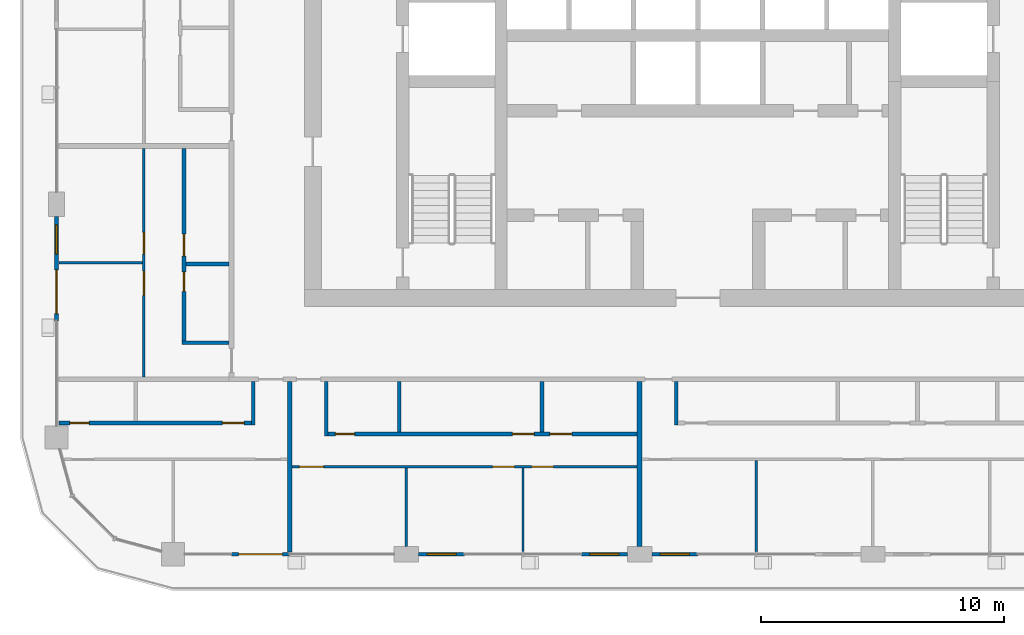
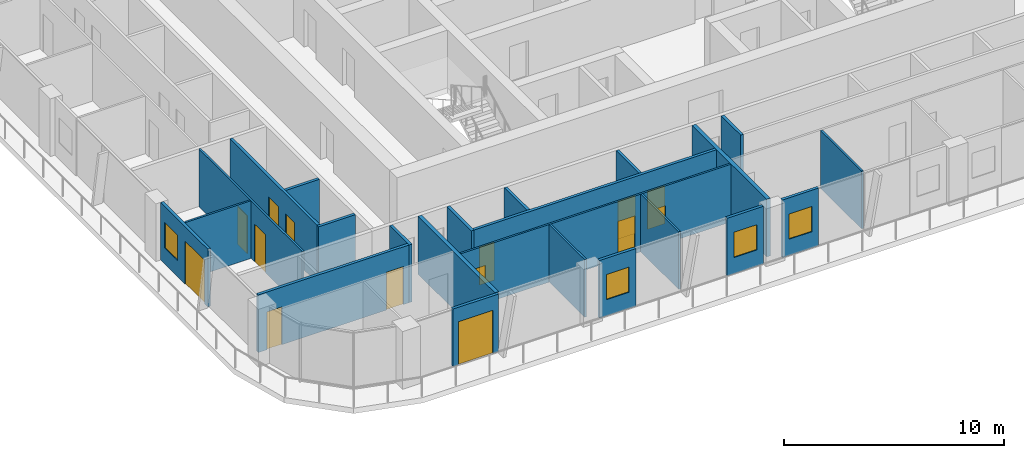
# One storey, part 9 of 23: 23 walls, 14 doors, 4 windows, 18 openings.
"""IFC4 building model written with IfcOpenShell, lengths in metres."""

from ifc_helpers import new_model, si_unit, direction, frame, frame_2d, origin, place, context, subcontext, project, spatial, rectangle, extrude, material, layer, layer_set, type_object, element, fill, save


model = new_model("IFC4")

# Units and contexts
model_context = context("Model", 3, precision=1e-05, world=origin(), true_north=direction((0.0, 1.0)))
body_context = subcontext(model_context, "Body", "Model", "MODEL_VIEW")
ifc_project = project(units=[si_unit("LENGTHUNIT", "METRE"), si_unit("AREAUNIT", "SQUARE_METRE"), si_unit("VOLUMEUNIT", "CUBIC_METRE"), si_unit("PLANEANGLEUNIT", "RADIAN"), si_unit("MASSUNIT", "GRAM", prefix="KILO")], contexts=[model_context])

# Site, building, storey
site_placement = place(None, origin())
site = spatial("IfcSite", under=ifc_project, at=site_placement, CompositionType="ELEMENT")
building_placement = place(site_placement, origin())
building = spatial("IfcBuilding", under=site, at=building_placement, Name="Madar Terraces", CompositionType="ELEMENT")
storey_placement = place(building_placement, frame((0.0, 0.0, 226.300048828125)))
storey = spatial("IfcBuildingStorey", under=building, at=storey_placement, Name="L59", CompositionType="ELEMENT", Elevation=226.300048828125)

# Wall, opening, door
ifc_material_1 = material(Name="Aluminium composite panel, black, over insulated backing", Category="aluminium")
ifc_layer_1 = layer(ifc_material_1, 0.14990234375)
ifc_layer_set_1 = layer_set([ifc_layer_1], Name="Facade bay panel 150")
wall_type_1 = type_object("IfcWallType", Name="Facade bay panel 150", PredefinedType="SOLIDWALL", material=ifc_layer_set_1)
wall_1_placement = place(storey_placement, frame((12.0, 4.800048828125, 0.0), z_axis=(0.0, 0.0, 1.0), x_axis=(1.0, 0.0, 0.0)))
wall_1 = element("IfcWall", 1, at=wall_1_placement, inside=storey, type_object=wall_type_1, Name="Facade bay panel", PredefinedType="SOLIDWALL", context=body_context, shape_type="SweptSolid", body=[
    extrude(rectangle(XDim=2.39990234375, YDim=0.14990234375, at=frame_2d((1.199951171875, 0.0))), origin(), (0.0, 0.0, 1.0), 3.199951171875),
])
opening_1_placement = place(wall_1_placement, frame((0.300048828125, 0.0, 0.0)))
opening_1 = element("IfcOpeningElement", 2, at=opening_1_placement, cuts=wall_1, Name="Opening ED1", PredefinedType="OPENING", context=body_context, shape_type="SweptSolid", body=[
    extrude(rectangle(XDim=1.800048828125, YDim=2.39990234375, at=frame_2d((0.89990234375, 1.199951171875))), frame((0.0, 0.0849609375, 0.0), z_axis=(0.0, -1.0, 0.0), x_axis=(1.0, 0.0, 0.0)), (0.0, 0.0, 1.0), 0.169921875),
])
ifc_material_2 = material(Name="Glass, clear, with black aluminium frame", Category="aluminium")
door_type_1 = type_object("IfcDoorType", Name="Balcony and terrace sliding door 1800 x 2400", OperationType="SLIDING_TO_LEFT", PredefinedType="DOOR", material=ifc_material_2)
door_1_placement = place(opening_1_placement, origin())
door_1 = element("IfcDoor", 3, at=door_1_placement, inside=storey, type_object=door_type_1, Name="Balcony door", OperationType="SLIDING_TO_LEFT", OverallHeight=2.39990234375, OverallWidth=1.800048828125, PredefinedType="DOOR", context=body_context, shape_type="SweptSolid", body=[
    extrude(rectangle(XDim=1.800048828125, YDim=2.39990234375, at=frame_2d((0.89990234375, 1.199951171875))), frame((0.0, 0.02490234375, 0.0), z_axis=(0.0, -1.0, 0.0), x_axis=(1.0, 0.0, 0.0)), (0.0, 0.0, 1.0), 0.050048828125),
])
fill(opening_1, door_1)

# Wall, opening, window
wall_2_placement = place(storey_placement, frame((19.699951171875, 4.800048828125, 0.0), z_axis=(0.0, 0.0, 1.0), x_axis=(1.0, 0.0, 0.0)))
wall_2 = element("IfcWall", 4, at=wall_2_placement, inside=storey, type_object=wall_type_1, Name="Facade bay panel", PredefinedType="SOLIDWALL", context=body_context, shape_type="SweptSolid", body=[
    extrude(rectangle(XDim=1.900146484375, YDim=0.14990234375, at=frame_2d((0.9501953125, 0.0))), origin(), (0.0, 0.0, 1.0), 3.199951171875),
])
opening_2_placement = place(wall_2_placement, frame((0.35009765625, 0.0, 0.89990234375)))
opening_2 = element("IfcOpeningElement", 5, at=opening_2_placement, cuts=wall_2, Name="Opening W1", PredefinedType="OPENING", context=body_context, shape_type="SweptSolid", body=[
    extrude(rectangle(XDim=1.199951171875, YDim=1.39990234375, at=frame_2d((0.60009765625, 0.699951171875))), frame((0.0, 0.0849609375, 0.0), z_axis=(0.0, -1.0, 0.0), x_axis=(1.0, 0.0, 0.0)), (0.0, 0.0, 1.0), 0.169921875),
])
ifc_material_3 = material(Name="Glass, clear, with black aluminium frame", Category="aluminium")
window_type = type_object("IfcWindowType", Name="Vent window 1200 x 1400", PartitioningType="SINGLE_PANEL", PredefinedType="WINDOW", material=ifc_material_3)
window_1_placement = place(opening_2_placement, origin())
window_1 = element("IfcWindow", 6, at=window_1_placement, inside=storey, type_object=window_type, Name="Operable vent window", OverallHeight=1.39990234375, OverallWidth=1.199951171875, PartitioningType="SINGLE_PANEL", PredefinedType="WINDOW", context=body_context, shape_type="SweptSolid", body=[
    extrude(rectangle(XDim=1.199951171875, YDim=1.39990234375, at=frame_2d((0.60009765625, 0.699951171875))), frame((0.0, 0.030029296875, 0.0), z_axis=(0.0, -1.0, 0.0), x_axis=(1.0, 0.0, 0.0)), (0.0, 0.0, 1.0), 0.06005859375),
])
fill(opening_2, window_1)

wall_3_placement = place(storey_placement, frame((26.39990234375, 4.800048828125, 0.0), z_axis=(0.0, 0.0, 1.0), x_axis=(1.0, 0.0, 0.0)))
wall_3 = element("IfcWall", 7, at=wall_3_placement, inside=storey, type_object=wall_type_1, Name="Facade bay panel", PredefinedType="SOLIDWALL", context=body_context, shape_type="SweptSolid", body=[
    extrude(rectangle(XDim=1.900146484375, YDim=0.14990234375, at=frame_2d((0.9501953125, 0.0))), origin(), (0.0, 0.0, 1.0), 3.199951171875),
])
opening_3_placement = place(wall_3_placement, frame((0.35009765625, 0.0, 0.89990234375)))
opening_3 = element("IfcOpeningElement", 8, at=opening_3_placement, cuts=wall_3, Name="Opening W1", PredefinedType="OPENING", context=body_context, shape_type="SweptSolid", body=[
    extrude(rectangle(XDim=1.199951171875, YDim=1.39990234375, at=frame_2d((0.60009765625, 0.699951171875))), frame((0.0, 0.0849609375, 0.0), z_axis=(0.0, -1.0, 0.0), x_axis=(1.0, 0.0, 0.0)), (0.0, 0.0, 1.0), 0.169921875),
])
window_2_placement = place(opening_3_placement, origin())
window_2 = element("IfcWindow", 9, at=window_2_placement, inside=storey, type_object=window_type, Name="Operable vent window", OverallHeight=1.39990234375, OverallWidth=1.199951171875, PartitioningType="SINGLE_PANEL", PredefinedType="WINDOW", context=body_context, shape_type="SweptSolid", body=[
    extrude(rectangle(XDim=1.199951171875, YDim=1.39990234375, at=frame_2d((0.60009765625, 0.699951171875))), frame((0.0, 0.030029296875, 0.0), z_axis=(0.0, -1.0, 0.0), x_axis=(1.0, 0.0, 0.0)), (0.0, 0.0, 1.0), 0.06005859375),
])
fill(opening_3, window_2)

wall_4_placement = place(storey_placement, frame((29.300048828125, 4.800048828125, 0.0), z_axis=(0.0, 0.0, 1.0), x_axis=(1.0, 0.0, 0.0)))
wall_4 = element("IfcWall", 10, at=wall_4_placement, inside=storey, type_object=wall_type_1, Name="Facade bay panel", PredefinedType="SOLIDWALL", context=body_context, shape_type="SweptSolid", body=[
    extrude(rectangle(XDim=1.89990234375, YDim=0.14990234375, at=frame_2d((0.949951171875, 0.0))), origin(), (0.0, 0.0, 1.0), 3.199951171875),
])
opening_4_placement = place(wall_4_placement, frame((0.35009765625, 0.0, 0.89990234375)))
opening_4 = element("IfcOpeningElement", 11, at=opening_4_placement, cuts=wall_4, Name="Opening W1", PredefinedType="OPENING", context=body_context, shape_type="SweptSolid", body=[
    extrude(rectangle(XDim=1.199951171875, YDim=1.39990234375, at=frame_2d((0.60009765625, 0.699951171875))), frame((0.0, 0.0849609375, 0.0), z_axis=(0.0, -1.0, 0.0), x_axis=(1.0, 0.0, 0.0)), (0.0, 0.0, 1.0), 0.169921875),
])
window_3_placement = place(opening_4_placement, origin())
window_3 = element("IfcWindow", 12, at=window_3_placement, inside=storey, type_object=window_type, Name="Operable vent window", OverallHeight=1.39990234375, OverallWidth=1.199951171875, PartitioningType="SINGLE_PANEL", PredefinedType="WINDOW", context=body_context, shape_type="SweptSolid", body=[
    extrude(rectangle(XDim=1.199951171875, YDim=1.39990234375, at=frame_2d((0.60009765625, 0.699951171875))), frame((0.0, 0.030029296875, 0.0), z_axis=(0.0, -1.0, 0.0), x_axis=(1.0, 0.0, 0.0)), (0.0, 0.0, 1.0), 0.06005859375),
])
fill(opening_4, window_3)

# Wall, openings, door, window
wall_5_placement = place(storey_placement, frame((4.800048828125, 18.699951171875, 0.0), z_axis=(0.0, 0.0, 1.0), x_axis=(0.0, -1.0, 0.0)))
wall_5 = element("IfcWall", 13, at=wall_5_placement, inside=storey, type_object=wall_type_1, Name="Facade bay panel", PredefinedType="SOLIDWALL", context=body_context, shape_type="SweptSolid", body=[
    extrude(rectangle(XDim=4.300048828125, YDim=0.14990234375, at=frame_2d((2.14990234375, 0.0))), origin(), (0.0, 0.0, 1.0), 3.199951171875),
])
opening_5_placement = place(wall_5_placement, frame((0.35009765625, 0.0, 0.89990234375)))
opening_5 = element("IfcOpeningElement", 14, at=opening_5_placement, cuts=wall_5, Name="Opening W1", PredefinedType="OPENING", context=body_context, shape_type="SweptSolid", body=[
    extrude(rectangle(XDim=1.199951171875, YDim=1.39990234375, at=frame_2d((0.60009765625, 0.699951171875))), frame((0.0, 0.0849609375, 0.0), z_axis=(0.0, -1.0, 0.0), x_axis=(1.0, 0.0, 0.0)), (0.0, 0.0, 1.0), 0.169921875),
])
opening_6_placement = place(wall_5_placement, frame((2.199951171875, 0.0, 0.0)))
opening_6 = element("IfcOpeningElement", 15, at=opening_6_placement, cuts=wall_5, Name="Opening ED1", PredefinedType="OPENING", context=body_context, shape_type="SweptSolid", body=[
    extrude(rectangle(XDim=1.800048828125, YDim=2.39990234375, at=frame_2d((0.89990234375, 1.199951171875))), frame((0.0, 0.0849609375, 0.0), z_axis=(0.0, -1.0, 0.0), x_axis=(1.0, 0.0, 0.0)), (0.0, 0.0, 1.0), 0.169921875),
])
door_2_placement = place(opening_6_placement, origin())
door_2 = element("IfcDoor", 16, at=door_2_placement, inside=storey, type_object=door_type_1, Name="Balcony door", OperationType="SLIDING_TO_LEFT", OverallHeight=2.39990234375, OverallWidth=1.800048828125, PredefinedType="DOOR", context=body_context, shape_type="SweptSolid", body=[
    extrude(rectangle(XDim=1.800048828125, YDim=2.39990234375, at=frame_2d((0.89990234375, 1.199951171875))), frame((0.0, 0.02490234375, 0.0), z_axis=(0.0, -1.0, 0.0), x_axis=(1.0, 0.0, 0.0)), (0.0, 0.0, 1.0), 0.050048828125),
])
fill(opening_6, door_2)
window_4_placement = place(opening_5_placement, origin())
window_4 = element("IfcWindow", 17, at=window_4_placement, inside=storey, type_object=window_type, Name="Operable vent window", OverallHeight=1.39990234375, OverallWidth=1.199951171875, PartitioningType="SINGLE_PANEL", PredefinedType="WINDOW", context=body_context, shape_type="SweptSolid", body=[
    extrude(rectangle(XDim=1.199951171875, YDim=1.39990234375, at=frame_2d((0.60009765625, 0.699951171875))), frame((0.0, 0.030029296875, 0.0), z_axis=(0.0, -1.0, 0.0), x_axis=(1.0, 0.0, 0.0)), (0.0, 0.0, 1.0), 0.06005859375),
])
fill(opening_5, window_4)

# Walls
ifc_material_4 = material(Name="Gypsum board on steel studs", Category="steel")
ifc_layer_2 = layer(ifc_material_4, 0.10009765625)
ifc_layer_set_2 = layer_set([ifc_layer_2], Name="Flat partition 100")
wall_type_2 = type_object("IfcWallType", Name="Flat partition 100", PredefinedType="PARTITIONING", material=ifc_layer_set_2)
wall_6_placement = place(storey_placement, frame((19.199951171875, 8.35009765625, 0.0), z_axis=(0.0, 0.0, 1.0), x_axis=(0.0, -1.0, 0.0)))
element("IfcWall", 18, at=wall_6_placement, inside=storey, type_object=wall_type_2, Name="Flat partition 100", PredefinedType="PARTITIONING", context=body_context, shape_type="SweptSolid", body=[
    extrude(rectangle(XDim=3.22509765625, YDim=0.10009765625, at=frame_2d((1.612548828125, 0.0))), origin(), (0.0, 0.0, 1.0), 3.199951171875),
])
wall_7_placement = place(storey_placement, frame((24.0, 8.35009765625, 0.0), z_axis=(0.0, 0.0, 1.0), x_axis=(0.0, -1.0, 0.0)))
element("IfcWall", 19, at=wall_7_placement, inside=storey, type_object=wall_type_2, Name="Flat partition 100", PredefinedType="PARTITIONING", context=body_context, shape_type="SweptSolid", body=[
    extrude(rectangle(XDim=3.4501953125, YDim=0.10009765625, at=frame_2d((1.72509765625, 0.0))), origin(), (0.0, 0.0, 1.0), 3.199951171875),
])

# Wall, openings, doors
wall_8_placement = place(storey_placement, frame((28.699951171875, 8.39990234375, 0.0), z_axis=(0.0, 0.0, 1.0), x_axis=(-1.0, 0.0, 0.0)))
wall_8 = element("IfcWall", 20, at=wall_8_placement, inside=storey, type_object=wall_type_2, Name="Flat partition 100", PredefinedType="PARTITIONING", context=body_context, shape_type="SweptSolid", body=[
    extrude(rectangle(XDim=14.199951171875, YDim=0.10009765625, at=frame_2d((7.10009765625, 0.0))), origin(), (0.0, 0.0, 1.0), 3.199951171875),
])
opening_7_placement = place(wall_8_placement, frame((12.89990234375, 0.0, 0.0)))
opening_7 = element("IfcOpeningElement", 21, at=opening_7_placement, cuts=wall_8, Name="Opening D3", PredefinedType="OPENING", context=body_context, shape_type="SweptSolid", body=[
    extrude(rectangle(XDim=1.0, YDim=2.10009765625, at=frame_2d((0.5, 1.050048828125))), frame((0.0, 0.06005859375, 0.0), z_axis=(0.0, -1.0, 0.0), x_axis=(1.0, 0.0, 0.0)), (0.0, 0.0, 1.0), 0.1201171875),
])
opening_8_placement = place(wall_8_placement, frame((5.050048828125, 0.0, 0.0)))
opening_8 = element("IfcOpeningElement", 22, at=opening_8_placement, cuts=wall_8, Name="Opening D2", PredefinedType="OPENING", context=body_context, shape_type="SweptSolid", body=[
    extrude(rectangle(XDim=0.89990234375, YDim=2.10009765625, at=frame_2d((0.449951171875, 1.050048828125))), frame((0.0, 0.06005859375, 0.0), z_axis=(0.0, -1.0, 0.0), x_axis=(1.0, 0.0, 0.0)), (0.0, 0.0, 1.0), 0.1201171875),
])
opening_9_placement = place(wall_8_placement, frame((3.449951171875, 0.0, 0.0)))
opening_9 = element("IfcOpeningElement", 23, at=opening_9_placement, cuts=wall_8, Name="Opening D2", PredefinedType="OPENING", context=body_context, shape_type="SweptSolid", body=[
    extrude(rectangle(XDim=0.89990234375, YDim=2.10009765625, at=frame_2d((0.449951171875, 1.050048828125))), frame((0.0, 0.06005859375, 0.0), z_axis=(0.0, -1.0, 0.0), x_axis=(1.0, 0.0, 0.0)), (0.0, 0.0, 1.0), 0.1201171875),
])
ifc_material_5 = material(Name="Timber door leaf", Category="wood")
door_type_2 = type_object("IfcDoorType", Name="Flat living room door 1000", OperationType="NOTDEFINED", PredefinedType="DOOR", material=ifc_material_5)
door_3_placement = place(opening_7_placement, origin())
door_3 = element("IfcDoor", 24, at=door_3_placement, inside=storey, type_object=door_type_2, Name="Flat living room door 1000", OperationType="SINGLE_SWING_RIGHT", OverallHeight=2.10009765625, OverallWidth=1.0, PredefinedType="DOOR", context=body_context, shape_type="SweptSolid", body=[
    extrude(rectangle(XDim=1.0, YDim=2.10009765625, at=frame_2d((0.5, 1.050048828125))), frame((0.0, 0.02490234375, 0.0), z_axis=(0.0, -1.0, 0.0), x_axis=(1.0, 0.0, 0.0)), (0.0, 0.0, 1.0), 0.050048828125),
])
fill(opening_7, door_3)
ifc_material_6 = material(Name="Timber door leaf", Category="wood")
door_type_3 = type_object("IfcDoorType", Name="Flat room door 900", OperationType="NOTDEFINED", PredefinedType="DOOR", material=ifc_material_6)
door_4_placement = place(opening_8_placement, origin())
door_4 = element("IfcDoor", 25, at=door_4_placement, inside=storey, type_object=door_type_3, Name="Flat room door 900", OperationType="SINGLE_SWING_LEFT", OverallHeight=2.10009765625, OverallWidth=0.89990234375, PredefinedType="DOOR", context=body_context, shape_type="SweptSolid", body=[
    extrude(rectangle(XDim=0.89990234375, YDim=2.10009765625, at=frame_2d((0.449951171875, 1.050048828125))), frame((0.0, 0.02490234375, 0.0), z_axis=(0.0, -1.0, 0.0), x_axis=(1.0, 0.0, 0.0)), (0.0, 0.0, 1.0), 0.050048828125),
])
fill(opening_8, door_4)
door_5_placement = place(opening_9_placement, origin())
door_5 = element("IfcDoor", 26, at=door_5_placement, inside=storey, type_object=door_type_3, Name="Flat room door 900", OperationType="SINGLE_SWING_RIGHT", OverallHeight=2.10009765625, OverallWidth=0.89990234375, PredefinedType="DOOR", context=body_context, shape_type="SweptSolid", body=[
    extrude(rectangle(XDim=0.89990234375, YDim=2.10009765625, at=frame_2d((0.449951171875, 1.050048828125))), frame((0.0, 0.02490234375, 0.0), z_axis=(0.0, -1.0, 0.0), x_axis=(1.0, 0.0, 0.0)), (0.0, 0.0, 1.0), 0.050048828125),
])
fill(opening_9, door_5)

# Walls
wall_9_placement = place(storey_placement, frame((33.60009765625, 8.64990234375, 0.0), z_axis=(0.0, 0.0, 1.0), x_axis=(0.0, -1.0, 0.0)))
element("IfcWall", 27, at=wall_9_placement, inside=storey, type_object=wall_type_2, Name="Flat partition 100", PredefinedType="PARTITIONING", context=body_context, shape_type="SweptSolid", body=[
    extrude(rectangle(XDim=3.75, YDim=0.10009765625, at=frame_2d((1.875, 0.0))), origin(), (0.0, 0.0, 1.0), 3.199951171875),
])
wall_10_placement = place(storey_placement, frame((8.35009765625, 16.800048828125, 0.0), z_axis=(0.0, 0.0, 1.0), x_axis=(-1.0, 0.0, 0.0)))
element("IfcWall", 28, at=wall_10_placement, inside=storey, type_object=wall_type_2, Name="Flat partition 100", PredefinedType="PARTITIONING", context=body_context, shape_type="SweptSolid", body=[
    extrude(rectangle(XDim=3.4501953125, YDim=0.10009765625, at=frame_2d((1.72509765625, 0.0))), origin(), (0.0, 0.0, 1.0), 3.199951171875),
])

# Wall, openings, doors
wall_11_placement = place(storey_placement, frame((8.39990234375, 12.10009765625, 0.0), z_axis=(0.0, 0.0, 1.0), x_axis=(0.0, 1.0, 0.0)))
wall_11 = element("IfcWall", 29, at=wall_11_placement, inside=storey, type_object=wall_type_2, Name="Flat partition 100", PredefinedType="PARTITIONING", context=body_context, shape_type="SweptSolid", body=[
    extrude(rectangle(XDim=9.39990234375, YDim=0.10009765625, at=frame_2d((4.699951171875, 0.0))), origin(), (0.0, 0.0, 1.0), 3.199951171875),
])
opening_10_placement = place(wall_11_placement, frame((3.35009765625, 0.0, 0.0)))
opening_10 = element("IfcOpeningElement", 30, at=opening_10_placement, cuts=wall_11, Name="Opening D3", PredefinedType="OPENING", context=body_context, shape_type="SweptSolid", body=[
    extrude(rectangle(XDim=1.0, YDim=2.10009765625, at=frame_2d((0.5, 1.050048828125))), frame((0.0, 0.06005859375, 0.0), z_axis=(0.0, -1.0, 0.0), x_axis=(1.0, 0.0, 0.0)), (0.0, 0.0, 1.0), 0.1201171875),
])
opening_11_placement = place(wall_11_placement, frame((5.050048828125, 0.0, 0.0)))
opening_11 = element("IfcOpeningElement", 31, at=opening_11_placement, cuts=wall_11, Name="Opening D2", PredefinedType="OPENING", context=body_context, shape_type="SweptSolid", body=[
    extrude(rectangle(XDim=0.89990234375, YDim=2.10009765625, at=frame_2d((0.449951171875, 1.050048828125))), frame((0.0, 0.06005859375, 0.0), z_axis=(0.0, -1.0, 0.0), x_axis=(1.0, 0.0, 0.0)), (0.0, 0.0, 1.0), 0.1201171875),
])
door_6_placement = place(opening_10_placement, origin())
door_6 = element("IfcDoor", 32, at=door_6_placement, inside=storey, type_object=door_type_2, Name="Flat living room door 1000", OperationType="SINGLE_SWING_RIGHT", OverallHeight=2.10009765625, OverallWidth=1.0, PredefinedType="DOOR", context=body_context, shape_type="SweptSolid", body=[
    extrude(rectangle(XDim=1.0, YDim=2.10009765625, at=frame_2d((0.5, 1.050048828125))), frame((0.0, 0.02490234375, 0.0), z_axis=(0.0, -1.0, 0.0), x_axis=(1.0, 0.0, 0.0)), (0.0, 0.0, 1.0), 0.050048828125),
])
fill(opening_10, door_6)
door_7_placement = place(opening_11_placement, origin())
door_7 = element("IfcDoor", 33, at=door_7_placement, inside=storey, type_object=door_type_3, Name="Flat room door 900", OperationType="SINGLE_SWING_LEFT", OverallHeight=2.10009765625, OverallWidth=0.89990234375, PredefinedType="DOOR", context=body_context, shape_type="SweptSolid", body=[
    extrude(rectangle(XDim=0.89990234375, YDim=2.10009765625, at=frame_2d((0.449951171875, 1.050048828125))), frame((0.0, 0.02490234375, 0.0), z_axis=(0.0, -1.0, 0.0), x_axis=(1.0, 0.0, 0.0)), (0.0, 0.0, 1.0), 0.050048828125),
])
fill(opening_11, door_7)

# Walls
ifc_material_7 = material(Name="Lightweight blockwork", Category="masonry")
ifc_layer_3 = layer(ifc_material_7, 0.199951171875)
ifc_layer_set_3 = layer_set([ifc_layer_3], Name="Flat party and entrance wall 200")
wall_type_3 = type_object("IfcWallType", Name="Flat party and entrance wall 200", PredefinedType="PARTITIONING", material=ifc_layer_set_3)
wall_12_placement = place(storey_placement, frame((14.39990234375, 11.89990234375, 0.0), z_axis=(0.0, 0.0, 1.0), x_axis=(0.0, -1.0, 0.0)))
element("IfcWall", 34, at=wall_12_placement, inside=storey, type_object=wall_type_3, Name="Flat party and entrance wall 200", PredefinedType="PARTITIONING", context=body_context, shape_type="SweptSolid", body=[
    extrude(rectangle(XDim=7.0, YDim=0.199951171875, at=frame_2d((3.5, 0.0))), origin(), (0.0, 0.0, 1.0), 3.199951171875),
])
wall_13_placement = place(storey_placement, frame((28.800048828125, 11.89990234375, 0.0), z_axis=(0.0, 0.0, 1.0), x_axis=(0.0, -1.0, 0.0)))
element("IfcWall", 35, at=wall_13_placement, inside=storey, type_object=wall_type_3, Name="Flat party and entrance wall 200", PredefinedType="PARTITIONING", context=body_context, shape_type="SweptSolid", body=[
    extrude(rectangle(XDim=6.77490234375, YDim=0.199951171875, at=frame_2d((3.387451171875, 0.0))), origin(), (0.0, 0.0, 1.0), 3.199951171875),
])
ifc_material_8 = material(Name="Lightweight blockwork", Category="masonry")
ifc_layer_4 = layer(ifc_material_8, 0.14990234375)
ifc_layer_set_4 = layer_set([ifc_layer_4], Name="Flat wet-room partition 150")
wall_type_4 = type_object("IfcWallType", Name="Flat wet-room partition 150", PredefinedType="PARTITIONING", material=ifc_layer_set_4)
wall_14_placement = place(storey_placement, frame((12.89990234375, 11.89990234375, 0.0), z_axis=(0.0, 0.0, 1.0), x_axis=(0.0, -1.0, 0.0)))
element("IfcWall", 36, at=wall_14_placement, inside=storey, type_object=wall_type_4, Name="Flat wet-room partition 150", PredefinedType="PARTITIONING", context=body_context, shape_type="SweptSolid", body=[
    extrude(rectangle(XDim=1.77490234375, YDim=0.14990234375, at=frame_2d((0.887451171875, 0.0))), origin(), (0.0, 0.0, 1.0), 3.199951171875),
])

# Wall, openings, doors
wall_15_placement = place(storey_placement, frame((4.89990234375, 10.199951171875, 0.0), z_axis=(0.0, 0.0, 1.0), x_axis=(1.0, 0.0, 0.0)))
wall_15 = element("IfcWall", 37, at=wall_15_placement, inside=storey, type_object=wall_type_4, Name="Flat wet-room partition 150", PredefinedType="PARTITIONING", context=body_context, shape_type="SweptSolid", body=[
    extrude(rectangle(XDim=7.925048828125, YDim=0.14990234375, at=frame_2d((3.96240234375, 0.0))), origin(), (0.0, 0.0, 1.0), 3.199951171875),
])
opening_12_placement = place(wall_15_placement, frame((6.72509765625, 0.0, 0.0)))
opening_12 = element("IfcOpeningElement", 38, at=opening_12_placement, cuts=wall_15, Name="Opening D2", PredefinedType="OPENING", context=body_context, shape_type="SweptSolid", body=[
    extrude(rectangle(XDim=0.89990234375, YDim=2.10009765625, at=frame_2d((0.449951171875, 1.050048828125))), frame((0.0, 0.0849609375, 0.0), z_axis=(0.0, -1.0, 0.0), x_axis=(1.0, 0.0, 0.0)), (0.0, 0.0, 1.0), 0.169921875),
])
opening_13_placement = place(wall_15_placement, frame((0.449951171875, 0.0, 0.0)))
opening_13 = element("IfcOpeningElement", 39, at=opening_13_placement, cuts=wall_15, Name="Opening D4", PredefinedType="OPENING", context=body_context, shape_type="SweptSolid", body=[
    extrude(rectangle(XDim=0.800048828125, YDim=2.10009765625, at=frame_2d((0.39990234375, 1.050048828125))), frame((0.0, 0.0849609375, 0.0), z_axis=(0.0, -1.0, 0.0), x_axis=(1.0, 0.0, 0.0)), (0.0, 0.0, 1.0), 0.169921875),
])
ifc_material_9 = material(Name="Timber door leaf", Category="wood")
door_type_4 = type_object("IfcDoorType", Name="Flat bathroom door 800", OperationType="NOTDEFINED", PredefinedType="DOOR", material=ifc_material_9)
door_8_placement = place(opening_13_placement, origin())
door_8 = element("IfcDoor", 40, at=door_8_placement, inside=storey, type_object=door_type_4, Name="Flat bathroom door 800", OperationType="SINGLE_SWING_LEFT", OverallHeight=2.10009765625, OverallWidth=0.800048828125, PredefinedType="DOOR", context=body_context, shape_type="SweptSolid", body=[
    extrude(rectangle(XDim=0.800048828125, YDim=2.10009765625, at=frame_2d((0.39990234375, 1.050048828125))), frame((0.0, 0.02490234375, 0.0), z_axis=(0.0, -1.0, 0.0), x_axis=(1.0, 0.0, 0.0)), (0.0, 0.0, 1.0), 0.050048828125),
])
fill(opening_13, door_8)
door_9_placement = place(opening_12_placement, origin())
door_9 = element("IfcDoor", 41, at=door_9_placement, inside=storey, type_object=door_type_3, Name="Flat room door 900", OperationType="SINGLE_SWING_RIGHT", OverallHeight=2.10009765625, OverallWidth=0.89990234375, PredefinedType="DOOR", context=body_context, shape_type="SweptSolid", body=[
    extrude(rectangle(XDim=0.89990234375, YDim=2.10009765625, at=frame_2d((0.449951171875, 1.050048828125))), frame((0.0, 0.02490234375, 0.0), z_axis=(0.0, -1.0, 0.0), x_axis=(1.0, 0.0, 0.0)), (0.0, 0.0, 1.0), 0.050048828125),
])
fill(opening_12, door_9)

# Walls
for number, where, z_axis, x_axis, name in (
    (42, (18.91162109375, 11.89990234375, 0.0), (0.0, 0.0, 1.0), (0.0, -1.0, 0.0), "Flat wet-room partition 150"),
    (43, (24.78466796875, 11.89990234375, 0.0), (0.0, 0.0, 1.0), (0.0, -1.0, 0.0), "Flat wet-room partition 150"),
):
    element("IfcWall", number, at=place(storey_placement, frame(where, z_axis=z_axis, x_axis=x_axis)), inside=storey, type_object=wall_type_4, Name=name, PredefinedType="PARTITIONING", context=body_context, shape_type="SweptSolid", body=[
        extrude(rectangle(XDim=2.074951171875, YDim=0.14990234375, at=frame_2d((1.03759765625, 0.0))), origin(), (0.0, 0.0, 1.0), 3.199951171875),
    ])
wall_16_placement = place(storey_placement, frame((15.89990234375, 11.89990234375, 0.0), z_axis=(0.0, 0.0, 1.0), x_axis=(0.0, -1.0, 0.0)))
element("IfcWall", 44, at=wall_16_placement, inside=storey, type_object=wall_type_4, Name="Flat wet-room partition 150", PredefinedType="PARTITIONING", context=body_context, shape_type="SweptSolid", body=[
    extrude(rectangle(XDim=2.224853515625, YDim=0.14990234375, at=frame_2d((1.1123046875, 0.0))), origin(), (0.0, 0.0, 1.0), 3.199951171875),
])

# Wall, openings, doors
wall_17_placement = place(storey_placement, frame((15.97509765625, 9.75, 0.0), z_axis=(0.0, 0.0, 1.0), x_axis=(1.0, 0.0, 0.0)))
wall_17 = element("IfcWall", 45, at=wall_17_placement, inside=storey, type_object=wall_type_4, Name="Flat wet-room partition 150", PredefinedType="PARTITIONING", context=body_context, shape_type="SweptSolid", body=[
    extrude(rectangle(XDim=12.724853515625, YDim=0.14990234375, at=frame_2d((6.3623046875, 0.0))), origin(), (0.0, 0.0, 1.0), 3.199951171875),
])
opening_14_placement = place(wall_17_placement, frame((0.300048828125, 0.0, 0.0)))
opening_14 = element("IfcOpeningElement", 46, at=opening_14_placement, cuts=wall_17, Name="Opening D4", PredefinedType="OPENING", context=body_context, shape_type="SweptSolid", body=[
    extrude(rectangle(XDim=0.800048828125, YDim=2.10009765625, at=frame_2d((0.39990234375, 1.050048828125))), frame((0.0, 0.0849609375, 0.0), z_axis=(0.0, -1.0, 0.0), x_axis=(1.0, 0.0, 0.0)), (0.0, 0.0, 1.0), 0.169921875),
])
opening_15_placement = place(wall_17_placement, frame((7.584716796875, 0.0, 0.0)))
opening_15 = element("IfcOpeningElement", 47, at=opening_15_placement, cuts=wall_17, Name="Opening D2", PredefinedType="OPENING", context=body_context, shape_type="SweptSolid", body=[
    extrude(rectangle(XDim=0.89990234375, YDim=2.10009765625, at=frame_2d((0.449951171875, 1.050048828125))), frame((0.0, 0.0849609375, 0.0), z_axis=(0.0, -1.0, 0.0), x_axis=(1.0, 0.0, 0.0)), (0.0, 0.0, 1.0), 0.169921875),
])
opening_16_placement = place(wall_17_placement, frame((9.134521484375, 0.0, 0.0)))
opening_16 = element("IfcOpeningElement", 48, at=opening_16_placement, cuts=wall_17, Name="Opening D5", PredefinedType="OPENING", context=body_context, shape_type="SweptSolid", body=[
    extrude(rectangle(XDim=0.89990234375, YDim=2.10009765625, at=frame_2d((0.449951171875, 1.050048828125))), frame((0.0, 0.0849609375, 0.0), z_axis=(0.0, -1.0, 0.0), x_axis=(1.0, 0.0, 0.0)), (0.0, 0.0, 1.0), 0.169921875),
])
ifc_material_10 = material(Name="Timber door leaf", Category="wood")
door_type_5 = type_object("IfcDoorType", Name="Flat accessible bathroom door 900", OperationType="NOTDEFINED", PredefinedType="DOOR", material=ifc_material_10)
door_10_placement = place(opening_16_placement, origin())
door_10 = element("IfcDoor", 49, at=door_10_placement, inside=storey, type_object=door_type_5, Name="Flat accessible bathroom door 900", OperationType="SINGLE_SWING_LEFT", OverallHeight=2.10009765625, OverallWidth=0.89990234375, PredefinedType="DOOR", context=body_context, shape_type="SweptSolid", body=[
    extrude(rectangle(XDim=0.89990234375, YDim=2.10009765625, at=frame_2d((0.449951171875, 1.050048828125))), frame((0.0, 0.02490234375, 0.0), z_axis=(0.0, -1.0, 0.0), x_axis=(1.0, 0.0, 0.0)), (0.0, 0.0, 1.0), 0.050048828125),
])
fill(opening_16, door_10)
door_11_placement = place(opening_14_placement, origin())
door_11 = element("IfcDoor", 50, at=door_11_placement, inside=storey, type_object=door_type_4, Name="Flat bathroom door 800", OperationType="SINGLE_SWING_LEFT", OverallHeight=2.10009765625, OverallWidth=0.800048828125, PredefinedType="DOOR", context=body_context, shape_type="SweptSolid", body=[
    extrude(rectangle(XDim=0.800048828125, YDim=2.10009765625, at=frame_2d((0.39990234375, 1.050048828125))), frame((0.0, 0.02490234375, 0.0), z_axis=(0.0, -1.0, 0.0), x_axis=(1.0, 0.0, 0.0)), (0.0, 0.0, 1.0), 0.050048828125),
])
fill(opening_14, door_11)
door_12_placement = place(opening_15_placement, origin())
door_12 = element("IfcDoor", 51, at=door_12_placement, inside=storey, type_object=door_type_3, Name="Flat room door 900", OperationType="SINGLE_SWING_RIGHT", OverallHeight=2.10009765625, OverallWidth=0.89990234375, PredefinedType="DOOR", context=body_context, shape_type="SweptSolid", body=[
    extrude(rectangle(XDim=0.89990234375, YDim=2.10009765625, at=frame_2d((0.449951171875, 1.050048828125))), frame((0.0, 0.02490234375, 0.0), z_axis=(0.0, -1.0, 0.0), x_axis=(1.0, 0.0, 0.0)), (0.0, 0.0, 1.0), 0.050048828125),
])
fill(opening_15, door_12)

# Walls
for number, where, z_axis, x_axis, name in (
    (52, (30.300048828125, 11.89990234375, 0.0), (0.0, 0.0, 1.0), (0.0, -1.0, 0.0), "Flat wet-room partition 150"),
    (53, (11.89990234375, 16.7451171875, 0.0), (0.0, 0.0, 1.0), (-1.0, 0.0, 0.0), "Flat wet-room partition 150"),
):
    element("IfcWall", number, at=place(storey_placement, frame(where, z_axis=z_axis, x_axis=x_axis)), inside=storey, type_object=wall_type_4, Name=name, PredefinedType="PARTITIONING", context=body_context, shape_type="SweptSolid", body=[
        extrude(rectangle(XDim=1.77490234375, YDim=0.14990234375, at=frame_2d((0.887451171875, 0.0))), origin(), (0.0, 0.0, 1.0), 3.199951171875),
    ])
wall_18_placement = place(storey_placement, frame((11.89990234375, 13.5, 0.0), z_axis=(0.0, 0.0, 1.0), x_axis=(-1.0, 0.0, 0.0)))
element("IfcWall", 54, at=wall_18_placement, inside=storey, type_object=wall_type_4, Name="Flat wet-room partition 150", PredefinedType="PARTITIONING", context=body_context, shape_type="SweptSolid", body=[
    extrude(rectangle(XDim=1.9248046875, YDim=0.14990234375, at=frame_2d((0.96240234375, 0.0))), origin(), (0.0, 0.0, 1.0), 3.199951171875),
])

# Wall, openings, doors
wall_19_placement = place(storey_placement, frame((10.050048828125, 21.5, 0.0), z_axis=(0.0, 0.0, 1.0), x_axis=(0.0, -1.0, 0.0)))
wall_19 = element("IfcWall", 55, at=wall_19_placement, inside=storey, type_object=wall_type_4, Name="Flat wet-room partition 150", PredefinedType="PARTITIONING", context=body_context, shape_type="SweptSolid", body=[
    extrude(rectangle(XDim=7.925048828125, YDim=0.14990234375, at=frame_2d((3.96240234375, 0.0))), origin(), (0.0, 0.0, 1.0), 3.199951171875),
])
opening_17_placement = place(wall_19_placement, frame((5.080078125, 0.0, 0.0)))
opening_17 = element("IfcOpeningElement", 56, at=opening_17_placement, cuts=wall_19, Name="Opening D4", PredefinedType="OPENING", context=body_context, shape_type="SweptSolid", body=[
    extrude(rectangle(XDim=0.800048828125, YDim=2.10009765625, at=frame_2d((0.39990234375, 1.050048828125))), frame((0.0, 0.0849609375, 0.0), z_axis=(0.0, -1.0, 0.0), x_axis=(1.0, 0.0, 0.0)), (0.0, 0.0, 1.0), 0.169921875),
])
opening_18_placement = place(wall_19_placement, frame((3.530029296875, 0.0, 0.0)))
opening_18 = element("IfcOpeningElement", 57, at=opening_18_placement, cuts=wall_19, Name="Opening D2", PredefinedType="OPENING", context=body_context, shape_type="SweptSolid", body=[
    extrude(rectangle(XDim=0.89990234375, YDim=2.10009765625, at=frame_2d((0.449951171875, 1.050048828125))), frame((0.0, 0.0849609375, 0.0), z_axis=(0.0, -1.0, 0.0), x_axis=(1.0, 0.0, 0.0)), (0.0, 0.0, 1.0), 0.169921875),
])
door_13_placement = place(opening_17_placement, origin())
door_13 = element("IfcDoor", 58, at=door_13_placement, inside=storey, type_object=door_type_4, Name="Flat bathroom door 800", OperationType="SINGLE_SWING_LEFT", OverallHeight=2.10009765625, OverallWidth=0.800048828125, PredefinedType="DOOR", context=body_context, shape_type="SweptSolid", body=[
    extrude(rectangle(XDim=0.800048828125, YDim=2.10009765625, at=frame_2d((0.39990234375, 1.050048828125))), frame((0.0, 0.02490234375, 0.0), z_axis=(0.0, -1.0, 0.0), x_axis=(1.0, 0.0, 0.0)), (0.0, 0.0, 1.0), 0.050048828125),
])
fill(opening_17, door_13)
door_14_placement = place(opening_18_placement, origin())
door_14 = element("IfcDoor", 59, at=door_14_placement, inside=storey, type_object=door_type_3, Name="Flat room door 900", OperationType="SINGLE_SWING_RIGHT", OverallHeight=2.10009765625, OverallWidth=0.89990234375, PredefinedType="DOOR", context=body_context, shape_type="SweptSolid", body=[
    extrude(rectangle(XDim=0.89990234375, YDim=2.10009765625, at=frame_2d((0.449951171875, 1.050048828125))), frame((0.0, 0.02490234375, 0.0), z_axis=(0.0, -1.0, 0.0), x_axis=(1.0, 0.0, 0.0)), (0.0, 0.0, 1.0), 0.050048828125),
])
fill(opening_18, door_14)

save(model, "model.ifc")
